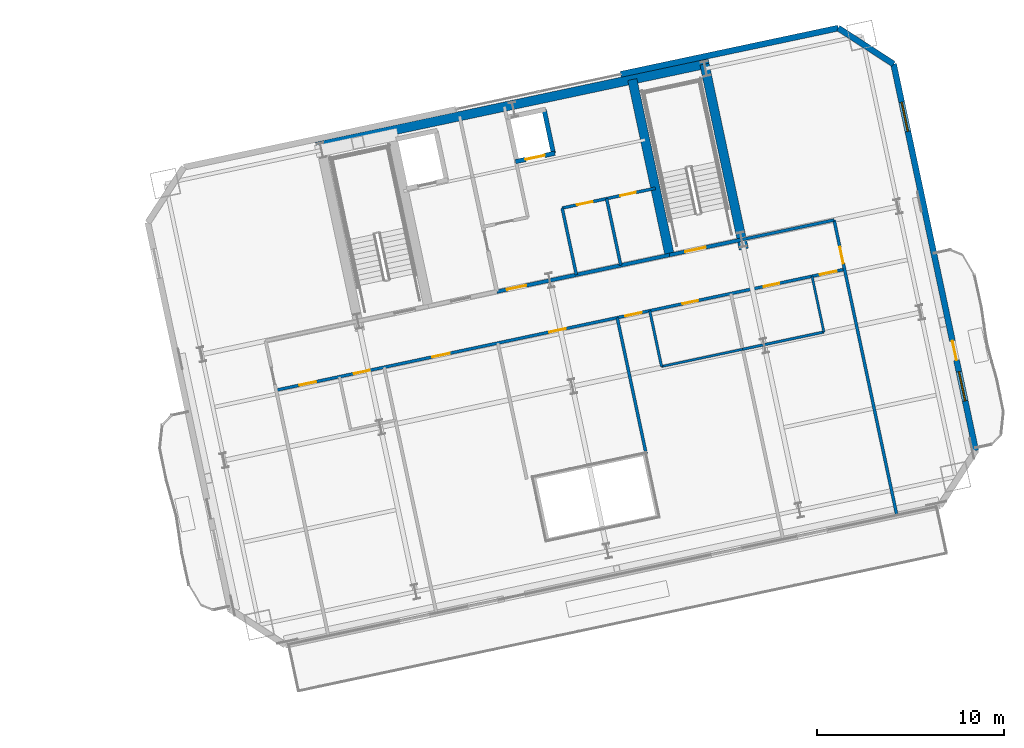
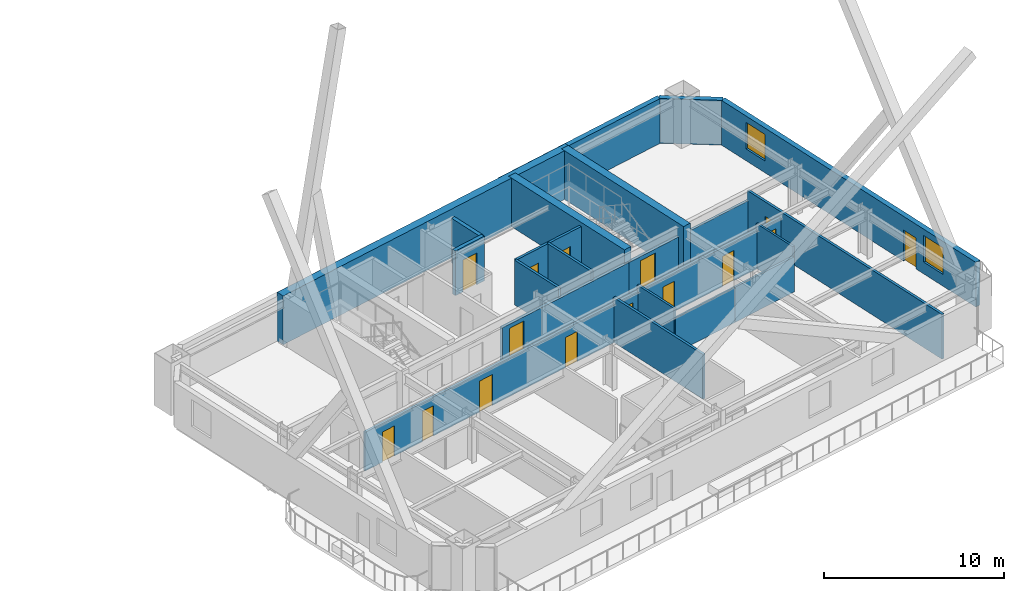
# One storey, part 15 of 22: 21 walls, 15 doors, 2 windows, 17 openings.
"""IFC4 building model written with IfcOpenShell, lengths in metres."""

from ifc_helpers import new_model, si_unit, direction, frame, frame_2d, origin, place, context, subcontext, project, spatial, rectangle, extrude, material, layer, layer_set, type_object, element, fill, save


model = new_model("IFC4")

# Units and contexts
model_context = context("Model", 3, precision=1e-05, world=origin(), true_north=direction((0.0, 1.0)))
body_context = subcontext(model_context, "Body", "Model", "MODEL_VIEW")
ifc_project = project(units=[si_unit("LENGTHUNIT", "METRE"), si_unit("AREAUNIT", "SQUARE_METRE"), si_unit("VOLUMEUNIT", "CUBIC_METRE"), si_unit("PLANEANGLEUNIT", "RADIAN"), si_unit("MASSUNIT", "GRAM", prefix="KILO")], contexts=[model_context])

# Site, building, storey
site_placement = place(None, origin())
site = spatial("IfcSite", under=ifc_project, at=site_placement, CompositionType="ELEMENT")
building_placement = place(site_placement, origin())
building = spatial("IfcBuilding", under=site, at=building_placement, Name="Haevon Station Towers", CompositionType="ELEMENT")
storey_placement = place(building_placement, frame((0.0, 0.0, 93.300048828125)))
storey = spatial("IfcBuildingStorey", under=building, at=storey_placement, Name="L24", CompositionType="ELEMENT", Elevation=93.300048828125)

# Wall, opening, door
ifc_material_1 = material(Name="Gypsum board on steel stud", Category="steel")
ifc_layer_1 = layer(ifc_material_1, 0.199951171875)
ifc_layer_set_1 = layer_set([ifc_layer_1], Name="Gypsum board on steel stud")
wall_type_1 = type_object("IfcWallType", Name="WL-COR200", PredefinedType="PARTITIONING", material=ifc_layer_set_1)
wall_1_placement = place(storey_placement, frame((115.4296875, 40.9873046875, 0.0), z_axis=(0.0, 0.0, 1.0), x_axis=(0.978146596989, 0.207916413008, 0.0)))
wall_1 = element("IfcWall", 1, at=wall_1_placement, inside=storey, type_object=wall_type_1, Name="WL-ST-ST4-L24", PredefinedType="PARTITIONING", context=body_context, shape_type="SweptSolid", body=[
    extrude(rectangle(XDim=3.9501953125, YDim=0.199951171875, at=frame_2d((1.97509765625, 0.0))), origin(), (0.0, 0.0, 1.0), 2.3798828125),
])
opening_1_placement = place(wall_1_placement, frame((0.85009765625, 0.0, 0.0)))
opening_1 = element("IfcOpeningElement", 2, at=opening_1_placement, cuts=wall_1, Name="Opening DR-ST-ST4-L24", PredefinedType="OPENING", context=body_context, shape_type="SweptSolid", body=[
    extrude(rectangle(XDim=1.1201171875, YDim=2.10009765625, at=frame_2d((0.56005859375, 1.050048828125))), frame((0.0, 0.10986328125, 0.0), z_axis=(0.0, -1.0, 0.0), x_axis=(1.0, 0.0, 0.0)), (0.0, 0.0, 1.0), 0.219970703125),
])
ifc_material_2 = material(Name="Engineered oak timber", Category="wood")
door_type_1 = type_object("IfcDoorType", Name="DR-ST-1120", OperationType="NOTDEFINED", PredefinedType="DOOR", material=ifc_material_2)
door_1_placement = place(opening_1_placement, origin())
door_1 = element("IfcDoor", 3, at=door_1_placement, inside=storey, type_object=door_type_1, Name="L24 Escape Stair ST4 Fire Door", OperationType="SINGLE_SWING_LEFT", OverallHeight=2.10009765625, OverallWidth=1.1201171875, PredefinedType="DOOR", context=body_context, shape_type="SweptSolid", body=[
    extrude(rectangle(XDim=1.1201171875, YDim=2.10009765625, at=frame_2d((0.56005859375, 1.050048828125))), frame((0.0, 0.02490234375, 0.0), z_axis=(0.0, -1.0, 0.0), x_axis=(1.0, 0.0, 0.0)), (0.0, 0.0, 1.0), 0.050048828125),
])
fill(opening_1, door_1)

wall_2_placement = place(storey_placement, frame((106.186279296875, 39.0224609375, 0.0), z_axis=(0.0, 0.0, 1.0), x_axis=(0.978145519981, 0.20792147975, 0.0)))
wall_2 = element("IfcWall", 4, at=wall_2_placement, inside=storey, type_object=wall_type_1, Name="WL-T2CLB-L24", PredefinedType="PARTITIONING", context=body_context, shape_type="SweptSolid", body=[
    extrude(rectangle(XDim=9.449951171875, YDim=0.199951171875, at=frame_2d((4.72509765625, 0.0))), origin(), (0.0, 0.0, 1.0), 2.3798828125),
])
opening_2_placement = place(wall_2_placement, frame((0.550048828125, 0.0, 0.0)))
opening_2 = element("IfcOpeningElement", 5, at=opening_2_placement, cuts=wall_2, Name="Opening DR-T2CLB-L24-1", PredefinedType="OPENING", context=body_context, shape_type="SweptSolid", body=[
    extrude(rectangle(XDim=1.050048828125, YDim=2.10009765625, at=frame_2d((0.52490234375, 1.050048828125))), frame((0.0, 0.10986328125, 0.0), z_axis=(0.0, -1.0, 0.0), x_axis=(1.0, 0.0, 0.0)), (0.0, 0.0, 1.0), 0.219970703125),
])
door_type_2 = type_object("IfcDoorType", Name="DR-FD60-1050", OperationType="NOTDEFINED", PredefinedType="DOOR", material=ifc_material_2)
door_2_placement = place(opening_2_placement, origin())
door_2 = element("IfcDoor", 6, at=door_2_placement, inside=storey, type_object=door_type_2, Name="L24 Tower 2 Core Lift Lobby Door 1", OperationType="SINGLE_SWING_RIGHT", OverallHeight=2.10009765625, OverallWidth=1.050048828125, PredefinedType="DOOR", context=body_context, shape_type="SweptSolid", body=[
    extrude(rectangle(XDim=1.050048828125, YDim=2.10009765625, at=frame_2d((0.52490234375, 1.050048828125))), frame((0.0, 0.02490234375, 0.0), z_axis=(0.0, -1.0, 0.0), x_axis=(1.0, 0.0, 0.0)), (0.0, 0.0, 1.0), 0.050048828125),
])
fill(opening_2, door_2)

# Walls
ifc_material_3 = material(Name="Concrete C60/75", Category="concrete")
ifc_layer_2 = layer(ifc_material_3, 0.5)
ifc_layer_set_2 = layer_set([ifc_layer_2], Name="Concrete C60/75")
wall_type_2 = type_object("IfcWallType", Name="WL-CR500", PredefinedType="SHEAR", material=ifc_layer_set_2)
wall_3_placement = place(storey_placement, frame((96.511962890625, 46.78076171875, 0.0), z_axis=(0.0, 0.0, 1.0), x_axis=(0.978148546782, 0.207907239961, 0.0)))
element("IfcWall", 7, at=wall_3_placement, inside=storey, type_object=wall_type_2, Name="WL-T2CR-L24-N", PredefinedType="SHEAR", context=body_context, shape_type="SweptSolid", body=[
    extrude(rectangle(XDim=21.499755859375, YDim=0.5, at=frame_2d((10.75, 0.0))), origin(), (0.0, 0.0, 1.0), 3.300048828125),
])
wall_4_placement = place(storey_placement, frame((119.401611328125, 41.2998046875, 0.0), z_axis=(0.0, 0.0, 1.0), x_axis=(-0.207904342798, 0.978149162575, 0.0)))
element("IfcWall", 8, at=wall_4_placement, inside=storey, type_object=wall_type_2, Name="WL-T2CR-L24-E", PredefinedType="SHEAR", context=body_context, shape_type="SweptSolid", body=[
    extrude(rectangle(XDim=10.1201171875, YDim=0.5, at=frame_2d((5.06005859375, 0.0))), origin(), (0.0, 0.0, 1.0), 3.300048828125),
])
wall_5_placement = place(storey_placement, frame((115.4296875, 40.9873046875, 0.0), z_axis=(0.0, 0.0, 1.0), x_axis=(-0.207903162969, 0.978149413345, 0.0)))
element("IfcWall", 9, at=wall_5_placement, inside=storey, type_object=wall_type_2, Name="WL-T2CR-L24-M2", PredefinedType="SHEAR", context=body_context, shape_type="SweptSolid", body=[
    extrude(rectangle(XDim=9.599853515625, YDim=0.5, at=frame_2d((4.7998046875, 0.0))), origin(), (0.0, 0.0, 1.0), 3.300048828125),
])
ifc_material_4 = material(Name="Precast concrete C45/55", Category="concrete")
ifc_layer_3 = layer(ifc_material_4, 0.320068359375)
ifc_layer_set_3 = layer_set([ifc_layer_3], Name="Precast concrete C45/55")
wall_type_3 = type_object("IfcWallType", Name="WL-EXT-PIER320", PredefinedType="SOLIDWALL", material=ifc_layer_set_3)
wall_6_placement = place(storey_placement, frame((112.812744140625, 50.654541015625, 0.0), z_axis=(0.0, 0.0, 1.0), x_axis=(0.978147847697, 0.207910528946, 0.0)))
element("IfcWall", 10, at=wall_6_placement, inside=storey, type_object=wall_type_3, Name="WL-T2-L24-N2", PredefinedType="SOLIDWALL", context=body_context, shape_type="SweptSolid", body=[
    extrude(rectangle(XDim=11.89990234375, YDim=0.320068359375, at=frame_2d((5.949951171875, 0.0))), origin(), (0.0, 0.0, 1.0), 3.030029296875),
])
wall_7_placement = place(storey_placement, frame((124.45263671875, 53.128662109375, 0.0), z_axis=(0.0, 0.0, 1.0), x_axis=(0.838640767148, -0.544684921471, 0.0)))
element("IfcWall", 11, at=wall_7_placement, inside=storey, type_object=wall_type_3, Name="WL-T2-L24-NEC", PredefinedType="SOLIDWALL", context=body_context, shape_type="SweptSolid", body=[
    extrude(rectangle(XDim=3.53564453125, YDim=0.320068359375, at=frame_2d((1.767822265625, 0.0))), origin(), (0.0, 0.0, 1.0), 3.030029296875),
])

# Wall, openings, door, windows
wall_8_placement = place(storey_placement, frame((127.417724609375, 51.202880859375, 0.0), z_axis=(0.0, 0.0, 1.0), x_axis=(0.207918258146, -0.978146204782, 0.0)))
wall_8 = element("IfcWall", 12, at=wall_8_placement, inside=storey, type_object=wall_type_3, Name="WL-T2-L24-E", PredefinedType="SOLIDWALL", context=body_context, shape_type="SweptSolid", body=[
    extrude(rectangle(XDim=21.14990234375, YDim=0.320068359375, at=frame_2d((10.574951171875, 0.0))), origin(), (0.0, 0.0, 1.0), 3.030029296875),
])
opening_3_placement = place(wall_8_placement, frame((15.14990234375, 0.0, 0.0)))
opening_3 = element("IfcOpeningElement", 13, at=opening_3_placement, cuts=wall_8, Name="Opening DR-T2-SCAL-L24-E", PredefinedType="OPENING", context=body_context, shape_type="SweptSolid", body=[
    extrude(rectangle(XDim=1.050048828125, YDim=2.10009765625, at=frame_2d((0.52490234375, 1.050048828125))), frame((0.0, 0.169921875, 0.0), z_axis=(0.0, -1.0, 0.0), x_axis=(1.0, 0.0, 0.0)), (0.0, 0.0, 1.0), 0.340087890625),
])
opening_4_placement = place(wall_8_placement, frame((2.08203125, 0.0, 0.800048828125)))
opening_4 = element("IfcOpeningElement", 14, at=opening_4_placement, cuts=wall_8, Name="Opening WN-END160", PredefinedType="OPENING", context=body_context, shape_type="SweptSolid", body=[
    extrude(rectangle(XDim=1.60009765625, YDim=1.800048828125, at=frame_2d((0.800048828125, 0.89990234375))), frame((0.0, 0.169921875, 0.0), z_axis=(0.0, -1.0, 0.0), x_axis=(1.0, 0.0, 0.0)), (0.0, 0.0, 1.0), 0.340087890625),
])
opening_5_placement = place(wall_8_placement, frame((16.826904296875, 0.0, 0.800048828125)))
opening_5 = element("IfcOpeningElement", 15, at=opening_5_placement, cuts=wall_8, Name="Opening WN-END160", PredefinedType="OPENING", context=body_context, shape_type="SweptSolid", body=[
    extrude(rectangle(XDim=1.60009765625, YDim=1.800048828125, at=frame_2d((0.800048828125, 0.89990234375))), frame((0.0, 0.169921875, 0.0), z_axis=(0.0, -1.0, 0.0), x_axis=(1.0, 0.0, 0.0)), (0.0, 0.0, 1.0), 0.340087890625),
])
ifc_material_5 = material(Name="Thermally broken anodised aluminium and laminated safety glass", Category="aluminium")
door_type_3 = type_object("IfcDoorType", Name="DR-BALC-1050", OperationType="NOTDEFINED", PredefinedType="DOOR", material=ifc_material_5)
door_3_placement = place(opening_3_placement, origin())
door_3 = element("IfcDoor", 16, at=door_3_placement, inside=storey, type_object=door_type_3, Name="Tower 2 L24 East Scalloped Balcony Door", OperationType="SINGLE_SWING_RIGHT", OverallHeight=2.10009765625, OverallWidth=1.050048828125, PredefinedType="DOOR", context=body_context, shape_type="SweptSolid", body=[
    extrude(rectangle(XDim=1.050048828125, YDim=2.10009765625, at=frame_2d((0.52490234375, 1.050048828125))), frame((0.0, 0.02490234375, 0.0), z_axis=(0.0, -1.0, 0.0), x_axis=(1.0, 0.0, 0.0)), (0.0, 0.0, 1.0), 0.050048828125),
])
fill(opening_3, door_3)
ifc_material_6 = material(Name="Low-E triple glazing in thermally broken aluminium", Category="aluminium")
window_type = type_object("IfcWindowType", Name="WN-END160", PartitioningType="SINGLE_PANEL", PredefinedType="WINDOW", material=ifc_material_6)
window_1_placement = place(opening_4_placement, origin())
window_1 = element("IfcWindow", 17, at=window_1_placement, inside=storey, type_object=window_type, Name="WN-T2-L24-E01", OverallHeight=1.800048828125, OverallWidth=1.60009765625, PartitioningType="SINGLE_PANEL", PredefinedType="WINDOW", context=body_context, shape_type="SweptSolid", body=[
    extrude(rectangle(XDim=1.60009765625, YDim=1.800048828125, at=frame_2d((0.800048828125, 0.89990234375))), frame((0.0, 0.030029296875, 0.0), z_axis=(0.0, -1.0, 0.0), x_axis=(1.0, 0.0, 0.0)), (0.0, 0.0, 1.0), 0.06005859375),
])
fill(opening_4, window_1)
window_2_placement = place(opening_5_placement, origin())
window_2 = element("IfcWindow", 18, at=window_2_placement, inside=storey, type_object=window_type, Name="WN-T2-L24-E02", OverallHeight=1.800048828125, OverallWidth=1.60009765625, PartitioningType="SINGLE_PANEL", PredefinedType="WINDOW", context=body_context, shape_type="SweptSolid", body=[
    extrude(rectangle(XDim=1.60009765625, YDim=1.800048828125, at=frame_2d((0.800048828125, 0.89990234375))), frame((0.0, 0.030029296875, 0.0), z_axis=(0.0, -1.0, 0.0), x_axis=(1.0, 0.0, 0.0)), (0.0, 0.0, 1.0), 0.06005859375),
])
fill(opening_5, window_2)

# Walls
ifc_layer_4 = layer(ifc_material_1, 0.125)
ifc_layer_set_4 = layer_set([ifc_layer_4], Name="Gypsum board on steel stud")
wall_type_4 = type_object("IfcWallType", Name="WL-PRT125", PredefinedType="PARTITIONING", material=ifc_layer_set_4)
wall_9_placement = place(storey_placement, frame((115.00146484375, 35.017822265625, 0.0), z_axis=(0.0, 0.0, 1.0), x_axis=(0.9781494869, 0.207902816907, 0.0)))
element("IfcWall", 19, at=wall_9_placement, inside=storey, type_object=wall_type_4, Name="WL-T2PT-L24-15", PredefinedType="PARTITIONING", context=body_context, shape_type="SweptSolid", body=[
    extrude(rectangle(XDim=4.43994140625, YDim=0.125, at=frame_2d((2.219970703125, 0.0))), origin(), (0.0, 0.0, 1.0), 2.3798828125),
])
wall_10_placement = place(storey_placement, frame((123.6875, 36.864013671875, 0.0), z_axis=(0.0, 0.0, 1.0), x_axis=(-0.207877902534, 0.978154782045, 0.0)))
element("IfcWall", 20, at=wall_10_placement, inside=storey, type_object=wall_type_4, Name="WL-T2PT-L24-19", PredefinedType="PARTITIONING", context=body_context, shape_type="SweptSolid", body=[
    extrude(rectangle(XDim=3.050048828125, YDim=0.125, at=frame_2d((1.52490234375, 0.0))), origin(), (0.0, 0.0, 1.0), 3.030029296875),
])
ifc_layer_5 = layer(ifc_material_1, 0.139892578125)
ifc_layer_set_5 = layer_set([ifc_layer_5], Name="Gypsum board on steel stud")
wall_type_5 = type_object("IfcWallType", Name="WL-PRT140", PredefinedType="PARTITIONING", material=ifc_layer_set_5)
wall_11_placement = place(storey_placement, frame((115.00146484375, 35.017822265625, 0.0), z_axis=(0.0, 0.0, 1.0), x_axis=(-0.207877902534, 0.978154782045, 0.0)))
element("IfcWall", 21, at=wall_11_placement, inside=storey, type_object=wall_type_5, Name="WL-T2PT-L24-16", PredefinedType="PARTITIONING", context=body_context, shape_type="SweptSolid", body=[
    extrude(rectangle(XDim=3.050048828125, YDim=0.139892578125, at=frame_2d((1.52490234375, 0.0))), origin(), (0.0, 0.0, 1.0), 3.030029296875),
])
wall_12_placement = place(storey_placement, frame((119.344482421875, 35.94091796875, 0.0), z_axis=(0.0, 0.0, 1.0), x_axis=(0.9781494869, 0.207902816907, 0.0)))
element("IfcWall", 22, at=wall_12_placement, inside=storey, type_object=wall_type_5, Name="WL-T2PT-L24-18", PredefinedType="PARTITIONING", context=body_context, shape_type="SweptSolid", body=[
    extrude(rectangle(XDim=4.43994140625, YDim=0.139892578125, at=frame_2d((2.219970703125, 0.0))), origin(), (0.0, 0.0, 1.0), 2.3798828125),
])
ifc_layer_6 = layer(ifc_material_1, 0.159912109375)
ifc_layer_set_6 = layer_set([ifc_layer_6], Name="Gypsum board on steel stud")
wall_type_6 = type_object("IfcWallType", Name="WL-PRT160", PredefinedType="PARTITIONING", material=ifc_layer_set_6)
for number, where, z_axis, x_axis, name in (
    (23, (110.441162109375, 39.927001953125, 0.0), (0.0, 0.0, 1.0), (-0.207884354546, 0.978153410838, 0.0), "WL-T2CW-L24-05"),
    (24, (112.818115234375, 40.43212890625, 0.0), (0.0, 0.0, 1.0), (-0.207884354546, 0.978153410838, 0.0), "WL-T2CW-L24-06"),
):
    element("IfcWall", number, at=place(storey_placement, frame(where, z_axis=z_axis, x_axis=x_axis)), inside=storey, type_object=wall_type_6, Name=name, PredefinedType="PARTITIONING", context=body_context, shape_type="SweptSolid", body=[
        extrude(rectangle(XDim=3.650146484375, YDim=0.159912109375, at=frame_2d((1.8251953125, 0.0))), origin(), (0.0, 0.0, 1.0), 3.030029296875),
    ])

# Wall, openings, doors
wall_13_placement = place(storey_placement, frame((109.682373046875, 43.497314453125, 0.0), z_axis=(0.0, 0.0, 1.0), x_axis=(0.978149238447, 0.207903985835, 0.0)))
wall_13 = element("IfcWall", 25, at=wall_13_placement, inside=storey, type_object=wall_type_6, Name="WL-T2CW-L24-07", PredefinedType="PARTITIONING", context=body_context, shape_type="SweptSolid", body=[
    extrude(rectangle(XDim=5.099853515625, YDim=0.159912109375, at=frame_2d((2.5498046875, 0.0))), origin(), (0.0, 0.0, 1.0), 3.030029296875),
])
opening_6_placement = place(wall_13_placement, frame((0.81005859375, 0.0, 0.0)))
opening_6 = element("IfcOpeningElement", 26, at=opening_6_placement, cuts=wall_13, Name="Opening DR-WL-T2CW-L24-07-1", PredefinedType="OPENING", context=body_context, shape_type="SweptSolid", body=[
    extrude(rectangle(XDim=0.85009765625, YDim=2.050048828125, at=frame_2d((0.425048828125, 1.02490234375))), frame((0.0, 0.08984375, 0.0), z_axis=(0.0, -1.0, 0.0), x_axis=(1.0, 0.0, 0.0)), (0.0, 0.0, 1.0), 0.179931640625),
])
opening_7_placement = place(wall_13_placement, frame((3.179931640625, 0.0, 0.0)))
opening_7 = element("IfcOpeningElement", 27, at=opening_7_placement, cuts=wall_13, Name="Opening DR-WL-T2CW-L24-07-2", PredefinedType="OPENING", context=body_context, shape_type="SweptSolid", body=[
    extrude(rectangle(XDim=0.85009765625, YDim=2.050048828125, at=frame_2d((0.425048828125, 1.02490234375))), frame((0.0, 0.08984375, 0.0), z_axis=(0.0, -1.0, 0.0), x_axis=(1.0, 0.0, 0.0)), (0.0, 0.0, 1.0), 0.179931640625),
])
door_type_4 = type_object("IfcDoorType", Name="DR-FD30-850", OperationType="NOTDEFINED", PredefinedType="DOOR", material=ifc_material_2)
door_4_placement = place(opening_6_placement, origin())
door_4 = element("IfcDoor", 28, at=door_4_placement, inside=storey, type_object=door_type_4, Name="L24 Tower 2 Core Room Door 7-1", OperationType="SINGLE_SWING_RIGHT", OverallHeight=2.050048828125, OverallWidth=0.85009765625, PredefinedType="DOOR", context=body_context, shape_type="SweptSolid", body=[
    extrude(rectangle(XDim=0.85009765625, YDim=2.050048828125, at=frame_2d((0.425048828125, 1.02490234375))), frame((0.0, 0.02490234375, 0.0), z_axis=(0.0, -1.0, 0.0), x_axis=(1.0, 0.0, 0.0)), (0.0, 0.0, 1.0), 0.050048828125),
])
fill(opening_6, door_4)
door_5_placement = place(opening_7_placement, origin())
door_5 = element("IfcDoor", 29, at=door_5_placement, inside=storey, type_object=door_type_4, Name="L24 Tower 2 Core Room Door 7-2", OperationType="SINGLE_SWING_LEFT", OverallHeight=2.050048828125, OverallWidth=0.85009765625, PredefinedType="DOOR", context=body_context, shape_type="SweptSolid", body=[
    extrude(rectangle(XDim=0.85009765625, YDim=2.050048828125, at=frame_2d((0.425048828125, 1.02490234375))), frame((0.0, 0.02490234375, 0.0), z_axis=(0.0, -1.0, 0.0), x_axis=(1.0, 0.0, 0.0)), (0.0, 0.0, 1.0), 0.050048828125),
])
fill(opening_7, door_5)

# Wall
wall_14_placement = place(storey_placement, frame((119.29345703125, 41.80859375, 0.0), z_axis=(0.0, 0.0, 1.0), x_axis=(0.978154058851, 0.207881305445, 0.0)))
element("IfcWall", 30, at=wall_14_placement, inside=storey, type_object=wall_type_6, Name="WL-T2PT-L24-02", PredefinedType="PARTITIONING", context=body_context, shape_type="SweptSolid", body=[
    extrude(rectangle(XDim=5.050048828125, YDim=0.159912109375, at=frame_2d((2.52490234375, 0.0))), origin(), (0.0, 0.0, 1.0), 2.3798828125),
])

# Wall, opening, door
wall_15_placement = place(storey_placement, frame((127.5908203125, 27.0615234375, 0.0), z_axis=(0.0, 0.0, 1.0), x_axis=(-0.207907933608, 0.978148399346, 0.0)))
wall_15 = element("IfcWall", 31, at=wall_15_placement, inside=storey, type_object=wall_type_6, Name="WL-T2PT-L24-04", PredefinedType="PARTITIONING", context=body_context, shape_type="SweptSolid", body=[
    extrude(rectangle(XDim=16.149658203125, YDim=0.159912109375, at=frame_2d((8.07470703125, 0.0))), origin(), (0.0, 0.0, 1.0), 3.030029296875),
])
opening_8_placement = place(wall_15_placement, frame((13.77001953125, 0.0, 0.0)))
opening_8 = element("IfcOpeningElement", 32, at=opening_8_placement, cuts=wall_15, Name="Opening DR-WL-T2PT-L24-04-01", PredefinedType="OPENING", context=body_context, shape_type="SweptSolid", body=[
    extrude(rectangle(XDim=0.89990234375, YDim=2.050048828125, at=frame_2d((0.449951171875, 1.02490234375))), frame((0.0, 0.08984375, 0.0), z_axis=(0.0, -1.0, 0.0), x_axis=(1.0, 0.0, 0.0)), (0.0, 0.0, 1.0), 0.179931640625),
])
door_type_5 = type_object("IfcDoorType", Name="DR-INT-900", OperationType="NOTDEFINED", PredefinedType="DOOR", material=ifc_material_2)
door_6_placement = place(opening_8_placement, origin())
door_6 = element("IfcDoor", 33, at=door_6_placement, inside=storey, type_object=door_type_5, Name="L24 Tower 2 Room Door 4-1", OperationType="SINGLE_SWING_LEFT", OverallHeight=2.050048828125, OverallWidth=0.89990234375, PredefinedType="DOOR", context=body_context, shape_type="SweptSolid", body=[
    extrude(rectangle(XDim=0.89990234375, YDim=2.050048828125, at=frame_2d((0.449951171875, 1.02490234375))), frame((0.0, 0.02490234375, 0.0), z_axis=(0.0, -1.0, 0.0), x_axis=(1.0, 0.0, 0.0)), (0.0, 0.0, 1.0), 0.050048828125),
])
fill(opening_8, door_6)

# Wall
wall_16_placement = place(storey_placement, frame((114.17529296875, 30.343994140625, 0.0), z_axis=(0.0, 0.0, 1.0), x_axis=(-0.207930871642, 0.978143523527, 0.0)))
element("IfcWall", 34, at=wall_16_placement, inside=storey, type_object=wall_type_6, Name="WL-T2PT-L24-13", PredefinedType="PARTITIONING", context=body_context, shape_type="SweptSolid", body=[
    extrude(rectangle(XDim=7.449951171875, YDim=0.159912109375, at=frame_2d((3.72509765625, 0.0))), origin(), (0.0, 0.0, 1.0), 3.030029296875),
])

# Wall, openings, doors
wall_17_placement = place(storey_placement, frame((94.3740234375, 33.75146484375, 0.0), z_axis=(0.0, 0.0, 1.0), x_axis=(0.978147557146, 0.207911895884, 0.0)))
wall_17 = element("IfcWall", 35, at=wall_17_placement, inside=storey, type_object=wall_type_6, Name="WL-T2PT-L24-20", PredefinedType="PARTITIONING", context=body_context, shape_type="SweptSolid", body=[
    extrude(rectangle(XDim=31.10009765625, YDim=0.159912109375, at=frame_2d((15.550048828125, 0.0))), origin(), (0.0, 0.0, 1.0), 2.6298828125),
])
opening_9_placement = place(wall_17_placement, frame((4.259033203125, 0.0, 0.0)))
opening_9 = element("IfcOpeningElement", 36, at=opening_9_placement, cuts=wall_17, Name="Opening DR-WL-T2PT-L24-20-01", PredefinedType="OPENING", context=body_context, shape_type="SweptSolid", body=[
    extrude(rectangle(XDim=0.85009765625, YDim=2.050048828125, at=frame_2d((0.425048828125, 1.02490234375))), frame((0.0, 0.08984375, 0.0), z_axis=(0.0, -1.0, 0.0), x_axis=(1.0, 0.0, 0.0)), (0.0, 0.0, 1.0), 0.179931640625),
])
opening_10_placement = place(wall_17_placement, frame((1.279052734375, 0.0, 0.0)))
opening_10 = element("IfcOpeningElement", 37, at=opening_10_placement, cuts=wall_17, Name="Opening DR-WL-T2PT-L24-20-02", PredefinedType="OPENING", context=body_context, shape_type="SweptSolid", body=[
    extrude(rectangle(XDim=0.89990234375, YDim=2.050048828125, at=frame_2d((0.449951171875, 1.02490234375))), frame((0.0, 0.08984375, 0.0), z_axis=(0.0, -1.0, 0.0), x_axis=(1.0, 0.0, 0.0)), (0.0, 0.0, 1.0), 0.179931640625),
])
opening_11_placement = place(wall_17_placement, frame((8.5439453125, 0.0, 0.0)))
opening_11 = element("IfcOpeningElement", 38, at=opening_11_placement, cuts=wall_17, Name="Opening DR-WL-T2PT-L24-20-03", PredefinedType="OPENING", context=body_context, shape_type="SweptSolid", body=[
    extrude(rectangle(XDim=0.949951171875, YDim=2.10009765625, at=frame_2d((0.47509765625, 1.050048828125))), frame((0.0, 0.08984375, 0.0), z_axis=(0.0, -1.0, 0.0), x_axis=(1.0, 0.0, 0.0)), (0.0, 0.0, 1.0), 0.179931640625),
])
opening_12_placement = place(wall_17_placement, frame((14.945068359375, 0.0, 0.0)))
opening_12 = element("IfcOpeningElement", 39, at=opening_12_placement, cuts=wall_17, Name="Opening DR-WL-T2PT-L24-20-04", PredefinedType="OPENING", context=body_context, shape_type="SweptSolid", body=[
    extrude(rectangle(XDim=0.89990234375, YDim=2.050048828125, at=frame_2d((0.449951171875, 1.02490234375))), frame((0.0, 0.08984375, 0.0), z_axis=(0.0, -1.0, 0.0), x_axis=(1.0, 0.0, 0.0)), (0.0, 0.0, 1.0), 0.179931640625),
])
opening_13_placement = place(wall_17_placement, frame((22.235107421875, 0.0, 0.0)))
opening_13 = element("IfcOpeningElement", 40, at=opening_13_placement, cuts=wall_17, Name="Opening DR-WL-T2PT-L24-20-05", PredefinedType="OPENING", context=body_context, shape_type="SweptSolid", body=[
    extrude(rectangle(XDim=0.85009765625, YDim=2.050048828125, at=frame_2d((0.425048828125, 1.02490234375))), frame((0.0, 0.08984375, 0.0), z_axis=(0.0, -1.0, 0.0), x_axis=(1.0, 0.0, 0.0)), (0.0, 0.0, 1.0), 0.179931640625),
])
opening_14_placement = place(wall_17_placement, frame((19.10009765625, 0.0, 0.0)))
opening_14 = element("IfcOpeningElement", 41, at=opening_14_placement, cuts=wall_17, Name="Opening DR-WL-T2PT-L24-20-06", PredefinedType="OPENING", context=body_context, shape_type="SweptSolid", body=[
    extrude(rectangle(XDim=0.89990234375, YDim=2.050048828125, at=frame_2d((0.449951171875, 1.02490234375))), frame((0.0, 0.08984375, 0.0), z_axis=(0.0, -1.0, 0.0), x_axis=(1.0, 0.0, 0.0)), (0.0, 0.0, 1.0), 0.179931640625),
])
opening_15_placement = place(wall_17_placement, frame((26.675048828125, 0.0, 0.0)))
opening_15 = element("IfcOpeningElement", 42, at=opening_15_placement, cuts=wall_17, Name="Opening DR-WL-T2PT-L24-20-07", PredefinedType="OPENING", context=body_context, shape_type="SweptSolid", body=[
    extrude(rectangle(XDim=0.85009765625, YDim=2.050048828125, at=frame_2d((0.425048828125, 1.02490234375))), frame((0.0, 0.08984375, 0.0), z_axis=(0.0, -1.0, 0.0), x_axis=(1.0, 0.0, 0.0)), (0.0, 0.0, 1.0), 0.179931640625),
])
opening_16_placement = place(wall_17_placement, frame((29.760009765625, 0.0, 0.0)))
opening_16 = element("IfcOpeningElement", 43, at=opening_16_placement, cuts=wall_17, Name="Opening DR-WL-T2PT-L24-20-08", PredefinedType="OPENING", context=body_context, shape_type="SweptSolid", body=[
    extrude(rectangle(XDim=0.89990234375, YDim=2.050048828125, at=frame_2d((0.449951171875, 1.02490234375))), frame((0.0, 0.08984375, 0.0), z_axis=(0.0, -1.0, 0.0), x_axis=(1.0, 0.0, 0.0)), (0.0, 0.0, 1.0), 0.179931640625),
])
door_7_placement = place(opening_9_placement, origin())
door_7 = element("IfcDoor", 44, at=door_7_placement, inside=storey, type_object=door_type_4, Name="L24 Tower 2 Room Door 20-1", OperationType="SINGLE_SWING_RIGHT", OverallHeight=2.050048828125, OverallWidth=0.85009765625, PredefinedType="DOOR", context=body_context, shape_type="SweptSolid", body=[
    extrude(rectangle(XDim=0.85009765625, YDim=2.050048828125, at=frame_2d((0.425048828125, 1.02490234375))), frame((0.0, 0.02490234375, 0.0), z_axis=(0.0, -1.0, 0.0), x_axis=(1.0, 0.0, 0.0)), (0.0, 0.0, 1.0), 0.050048828125),
])
fill(opening_9, door_7)
door_8_placement = place(opening_13_placement, origin())
door_8 = element("IfcDoor", 45, at=door_8_placement, inside=storey, type_object=door_type_4, Name="L24 Tower 2 Room Door 20-5", OperationType="SINGLE_SWING_RIGHT", OverallHeight=2.050048828125, OverallWidth=0.85009765625, PredefinedType="DOOR", context=body_context, shape_type="SweptSolid", body=[
    extrude(rectangle(XDim=0.85009765625, YDim=2.050048828125, at=frame_2d((0.425048828125, 1.02490234375))), frame((0.0, 0.02490234375, 0.0), z_axis=(0.0, -1.0, 0.0), x_axis=(1.0, 0.0, 0.0)), (0.0, 0.0, 1.0), 0.050048828125),
])
fill(opening_13, door_8)
door_9_placement = place(opening_15_placement, origin())
door_9 = element("IfcDoor", 46, at=door_9_placement, inside=storey, type_object=door_type_4, Name="L24 Tower 2 Room Door 20-7", OperationType="SINGLE_SWING_RIGHT", OverallHeight=2.050048828125, OverallWidth=0.85009765625, PredefinedType="DOOR", context=body_context, shape_type="SweptSolid", body=[
    extrude(rectangle(XDim=0.85009765625, YDim=2.050048828125, at=frame_2d((0.425048828125, 1.02490234375))), frame((0.0, 0.02490234375, 0.0), z_axis=(0.0, -1.0, 0.0), x_axis=(1.0, 0.0, 0.0)), (0.0, 0.0, 1.0), 0.050048828125),
])
fill(opening_15, door_9)
door_type_6 = type_object("IfcDoorType", Name="DR-FD30-950", OperationType="NOTDEFINED", PredefinedType="DOOR", material=ifc_material_2)
door_10_placement = place(opening_11_placement, origin())
door_10 = element("IfcDoor", 47, at=door_10_placement, inside=storey, type_object=door_type_6, Name="L24 Tower 2 Room Door 20-3", OperationType="SINGLE_SWING_RIGHT", OverallHeight=2.10009765625, OverallWidth=0.949951171875, PredefinedType="DOOR", context=body_context, shape_type="SweptSolid", body=[
    extrude(rectangle(XDim=0.949951171875, YDim=2.10009765625, at=frame_2d((0.47509765625, 1.050048828125))), frame((0.0, 0.02490234375, 0.0), z_axis=(0.0, -1.0, 0.0), x_axis=(1.0, 0.0, 0.0)), (0.0, 0.0, 1.0), 0.050048828125),
])
fill(opening_11, door_10)
door_11_placement = place(opening_10_placement, origin())
door_11 = element("IfcDoor", 48, at=door_11_placement, inside=storey, type_object=door_type_5, Name="L24 Tower 2 Room Door 20-2", OperationType="SINGLE_SWING_LEFT", OverallHeight=2.050048828125, OverallWidth=0.89990234375, PredefinedType="DOOR", context=body_context, shape_type="SweptSolid", body=[
    extrude(rectangle(XDim=0.89990234375, YDim=2.050048828125, at=frame_2d((0.449951171875, 1.02490234375))), frame((0.0, 0.02490234375, 0.0), z_axis=(0.0, -1.0, 0.0), x_axis=(1.0, 0.0, 0.0)), (0.0, 0.0, 1.0), 0.050048828125),
])
fill(opening_10, door_11)
door_12_placement = place(opening_12_placement, origin())
door_12 = element("IfcDoor", 49, at=door_12_placement, inside=storey, type_object=door_type_5, Name="L24 Tower 2 Room Door 20-4", OperationType="SINGLE_SWING_LEFT", OverallHeight=2.050048828125, OverallWidth=0.89990234375, PredefinedType="DOOR", context=body_context, shape_type="SweptSolid", body=[
    extrude(rectangle(XDim=0.89990234375, YDim=2.050048828125, at=frame_2d((0.449951171875, 1.02490234375))), frame((0.0, 0.02490234375, 0.0), z_axis=(0.0, -1.0, 0.0), x_axis=(1.0, 0.0, 0.0)), (0.0, 0.0, 1.0), 0.050048828125),
])
fill(opening_12, door_12)
door_13_placement = place(opening_14_placement, origin())
door_13 = element("IfcDoor", 50, at=door_13_placement, inside=storey, type_object=door_type_5, Name="L24 Tower 2 Room Door 20-6", OperationType="SINGLE_SWING_LEFT", OverallHeight=2.050048828125, OverallWidth=0.89990234375, PredefinedType="DOOR", context=body_context, shape_type="SweptSolid", body=[
    extrude(rectangle(XDim=0.89990234375, YDim=2.050048828125, at=frame_2d((0.449951171875, 1.02490234375))), frame((0.0, 0.02490234375, 0.0), z_axis=(0.0, -1.0, 0.0), x_axis=(1.0, 0.0, 0.0)), (0.0, 0.0, 1.0), 0.050048828125),
])
fill(opening_14, door_13)
door_14_placement = place(opening_16_placement, origin())
door_14 = element("IfcDoor", 51, at=door_14_placement, inside=storey, type_object=door_type_5, Name="L24 Tower 2 Room Door 20-8", OperationType="SINGLE_SWING_LEFT", OverallHeight=2.050048828125, OverallWidth=0.89990234375, PredefinedType="DOOR", context=body_context, shape_type="SweptSolid", body=[
    extrude(rectangle(XDim=0.89990234375, YDim=2.050048828125, at=frame_2d((0.449951171875, 1.02490234375))), frame((0.0, 0.02490234375, 0.0), z_axis=(0.0, -1.0, 0.0), x_axis=(1.0, 0.0, 0.0)), (0.0, 0.0, 1.0), 0.050048828125),
])
fill(opening_16, door_14)

# Wall, opening, door
ifc_material_7 = material(Name="Concrete C40/50", Category="concrete")
ifc_layer_7 = layer(ifc_material_7, 0.239990234375)
ifc_layer_set_7 = layer_set([ifc_layer_7], Name="Concrete C40/50")
wall_type_7 = type_object("IfcWallType", Name="WL-SHF240", PredefinedType="PARTITIONING", material=ifc_layer_set_7)
wall_18_placement = place(storey_placement, frame((107.18115234375, 45.9814453125, 0.0), z_axis=(0.0, 0.0, 1.0), x_axis=(0.97813528961, 0.207969601673, 0.0)))
wall_18 = element("IfcWall", 52, at=wall_18_placement, inside=storey, type_object=wall_type_7, Name="WL-SHF-PL8-L24", PredefinedType="PARTITIONING", context=body_context, shape_type="SweptSolid", body=[
    extrude(rectangle(XDim=2.159912109375, YDim=0.239990234375, at=frame_2d((1.080078125, 0.0))), origin(), (0.0, 0.0, 1.0), 3.030029296875),
])
opening_17_placement = place(wall_18_placement, frame((0.554931640625, 0.0, 0.0)))
opening_17 = element("IfcOpeningElement", 53, at=opening_17_placement, cuts=wall_18, Name="Opening LD-PL8-L24", PredefinedType="OPENING", context=body_context, shape_type="SweptSolid", body=[
    extrude(rectangle(XDim=1.050048828125, YDim=2.14990234375, at=frame_2d((0.52490234375, 1.074951171875))), frame((0.0, 0.1298828125, 0.0), z_axis=(0.0, -1.0, 0.0), x_axis=(1.0, 0.0, 0.0)), (0.0, 0.0, 1.0), 0.260009765625),
])
ifc_material_8 = material(Name="Stainless steel and rated core", Category="steel")
door_type_7 = type_object("IfcDoorType", Name="LD-PL1050", OperationType="SLIDING_TO_LEFT", PredefinedType="DOOR", material=ifc_material_8)
door_15_placement = place(opening_17_placement, origin())
door_15 = element("IfcDoor", 54, at=door_15_placement, inside=storey, type_object=door_type_7, Name="L24 Lift PL8 Sliding Landing Door", OperationType="SLIDING_TO_LEFT", OverallHeight=2.14990234375, OverallWidth=1.050048828125, PredefinedType="DOOR", context=body_context, shape_type="SweptSolid", body=[
    extrude(rectangle(XDim=1.050048828125, YDim=2.14990234375, at=frame_2d((0.52490234375, 1.074951171875))), frame((0.0, 0.02490234375, 0.0), z_axis=(0.0, -1.0, 0.0), x_axis=(1.0, 0.0, 0.0)), (0.0, 0.0, 1.0), 0.050048828125),
])
fill(opening_17, door_15)

# Wall
wall_19_placement = place(storey_placement, frame((109.2158203125, 46.413818359375, 0.0), z_axis=(0.0, 0.0, 1.0), x_axis=(-0.207917150959, 0.978146440129, 0.0)))
element("IfcWall", 55, at=wall_19_placement, inside=storey, type_object=wall_type_7, Name="WL-SHF-PL8-L24-E", PredefinedType="PARTITIONING", context=body_context, shape_type="SweptSolid", body=[
    extrude(rectangle(XDim=2.400146484375, YDim=0.239990234375, at=frame_2d((1.2001953125, 0.0))), origin(), (0.0, 0.0, 1.0), 3.030029296875),
])

save(model, "model.ifc")
